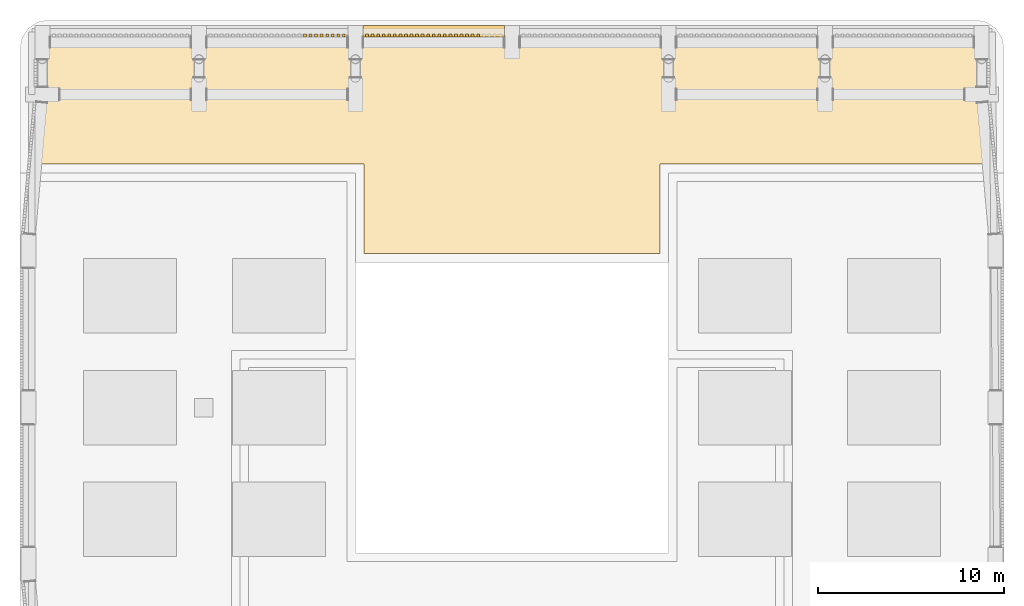
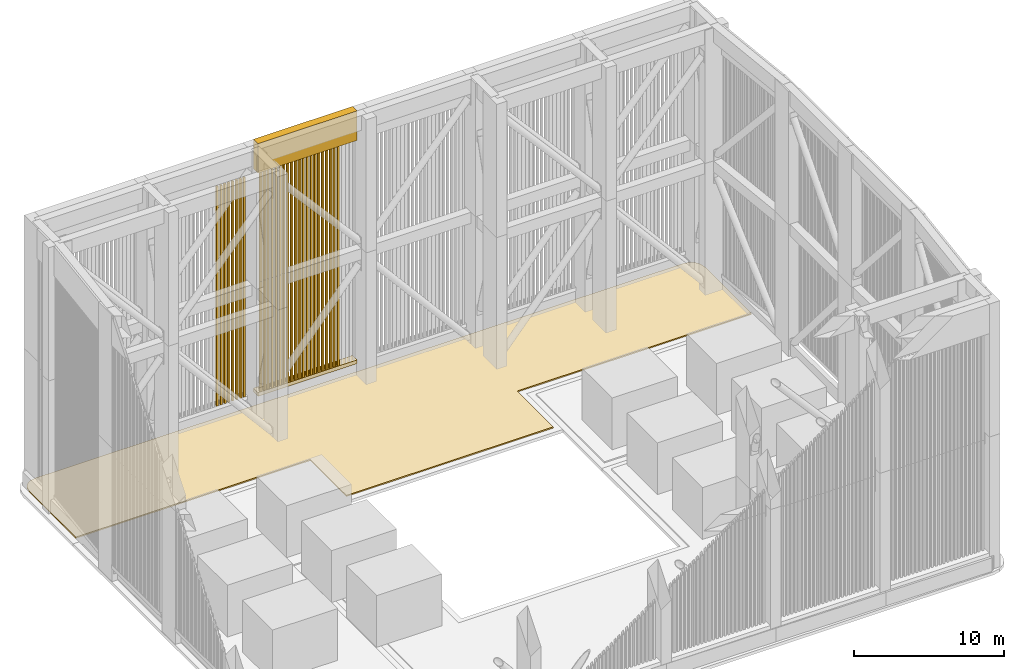
# One storey, part 22 of 27: 58 shading devices, 3 coverings.
"""IFC4 building model written with IfcOpenShell, lengths in metres."""

import ifcopenshell
import ifcopenshell.guid

model = None  # the IFC model being written
_history = None  # IfcOwnerHistory: only IFC2X3 demands one
_inside = {}  # id of a spatial element -> (the spatial element, [elements in it])
_under = {}  # id of a project, library or spatial element -> (it, [spatial elements below it])
_declared = {}  # id of a project -> (the project, [libraries it declares])
_typed = {}  # id of a type object -> (the type object, [elements of that type])
_made_of = {}  # id of a material, layer set ... -> (it, [elements and type objects made of it])


def new_model(schema):
    """Start an empty IFC model of exactly this schema.

    Asked for "IFC4X3", IfcOpenShell would pick the latest addendum, in which some entities
    have other attributes; the version numbers below select the first issue.
    IFC2X3 requires an IfcOwnerHistory on every rooted entity: one is made here for all.
    """
    global model, _history
    if schema == "IFC4X3":
        model = ifcopenshell.file(schema_version=(4, 3, 0, 0))
    else:
        model = ifcopenshell.file(schema=schema)
    _inside.clear()
    _under.clear()
    _declared.clear()
    _typed.clear()
    _made_of.clear()
    _history = None
    if model.schema == "IFC2X3":
        org = make("IfcOrganization", Name="unknown")
        user = make(
            "IfcPersonAndOrganization",
            ThePerson=make("IfcPerson", FamilyName="unknown"),
            TheOrganization=org,
        )
        app = make(
            "IfcApplication",
            ApplicationDeveloper=org,
            Version="unknown",
            ApplicationFullName="unknown",
            ApplicationIdentifier="unknown",
        )
        _history = make(
            "IfcOwnerHistory",
            OwningUser=user,
            OwningApplication=app,
            ChangeAction="ADDED",
            CreationDate=0,
        )
    return model


def make(cls, **values):
    """One entity of the class cls with the attributes given. An attribute that is None is left unset."""
    return model.create_entity(
        cls, **{name: value for name, value in values.items() if value is not None}
    )


def rooted(cls, **values):
    """An entity with a GlobalId (a new one), such as an element, a storey or a relation."""
    return make(cls, GlobalId=ifcopenshell.guid.new(), OwnerHistory=_history, **values)


def si_unit(unit_type, name, prefix=None):
    """IfcSIUnit, for example si_unit("LENGTHUNIT", "METRE", prefix="MILLI")."""
    return make("IfcSIUnit", UnitType=unit_type, Prefix=prefix, Name=name)


def assignment(units):
    """IfcUnitAssignment: the units of a project."""
    return None if units is None else make("IfcUnitAssignment", Units=units)


def point(xyz):
    """IfcCartesianPoint."""
    return None if xyz is None else make("IfcCartesianPoint", Coordinates=xyz)


def direction(xyz):
    """IfcDirection."""
    return None if xyz is None else make("IfcDirection", DirectionRatios=xyz)


def frame(location, z_axis=None, x_axis=None):
    """IfcAxis2Placement3D, a coordinate frame: its origin and axes. An axis left out is left unset."""
    return make(
        "IfcAxis2Placement3D",
        Location=point(location),
        Axis=direction(z_axis),
        RefDirection=direction(x_axis),
    )


def frame_2d(location, x_axis=None):
    """IfcAxis2Placement2D, a coordinate frame in the plane: its origin and x axis."""
    return make(
        "IfcAxis2Placement2D", Location=point(location), RefDirection=direction(x_axis)
    )


def origin():
    """The frame at (0, 0, 0) with its axes left unset."""
    return frame((0.0, 0.0, 0.0))


def origin_2d():
    """The frame at (0, 0) in the plane with its x axis left unset."""
    return frame_2d((0.0, 0.0))


def place(relative_to, where):
    """IfcLocalPlacement: puts the frame where relative to a parent placement (None: the world)."""
    return make(
        "IfcLocalPlacement", PlacementRelTo=relative_to, RelativePlacement=where
    )


def context(
    kind, dimensions, precision=None, world=None, true_north=None, identifier=None
):
    """IfcGeometricRepresentationContext, for example the 3D "Model" context."""
    return make(
        "IfcGeometricRepresentationContext",
        ContextIdentifier=identifier,
        ContextType=kind,
        CoordinateSpaceDimension=dimensions,
        Precision=precision,
        WorldCoordinateSystem=world,
        TrueNorth=true_north,
    )


def subcontext(parent, identifier, kind, view, scale=None):
    """IfcGeometricRepresentationSubContext, for example "Body" below "Model"."""
    return make(
        "IfcGeometricRepresentationSubContext",
        ContextIdentifier=identifier,
        ContextType=kind,
        ParentContext=parent,
        TargetScale=scale,
        TargetView=view,
    )


def project(units=None, contexts=None):
    """IfcProject with its units and contexts."""
    return rooted(
        "IfcProject",
        Name="project",
        RepresentationContexts=contexts,
        UnitsInContext=assignment(units),
    )


def spatial(cls, under=None, at=None, **own):
    """A site, building, storey or space (cls), placed at a placement, below another one or the project."""
    s = rooted(cls, ObjectPlacement=at, **own)
    if under is not None:
        _under.setdefault(under.id(), (under, []))[1].append(s)
    return s


def polyline(points):
    """IfcPolyline through the points."""
    return make("IfcPolyline", Points=[point(p) for p in points])


def profile(cls, at=None, kind="AREA", **sizes):
    """A parametric profile (cls). Its sizes go by their IFC names, for example OverallWidth=200.0."""
    return make(cls, ProfileType=kind, Position=at, **sizes)


def rectangle(**sizes):
    """IfcRectangleProfileDef."""
    return profile("IfcRectangleProfileDef", **sizes)


def outline(outer, holes=None, kind="AREA"):
    """IfcArbitraryClosedProfileDef: a profile drawn as a closed curve; with holes, ...WithVoids."""
    if holes is None:
        return make("IfcArbitraryClosedProfileDef", ProfileType=kind, OuterCurve=outer)
    return make(
        "IfcArbitraryProfileDefWithVoids",
        ProfileType=kind,
        OuterCurve=outer,
        InnerCurves=holes,
    )


def extrude(swept, where, along, depth):
    """IfcExtrudedAreaSolid: the profile swept, set in the frame where, extruded along a direction by depth."""
    return make(
        "IfcExtrudedAreaSolid",
        SweptArea=swept,
        Position=where,
        ExtrudedDirection=direction(along),
        Depth=depth,
    )


def shape(context_of_items, identifier, shape_type, items):
    """IfcShapeRepresentation: the items that make up one representation, for example the "Body"."""
    return make(
        "IfcShapeRepresentation",
        ContextOfItems=context_of_items,
        RepresentationIdentifier=identifier,
        RepresentationType=shape_type,
        Items=items,
    )


def material(Name=None, Category=None):
    """IfcMaterial."""
    return make("IfcMaterial", Name=Name, Category=Category)


def layer(
    of_material, thickness, ventilated=None, Name=None, Category=None, Priority=None
):
    """IfcMaterialLayer: one layer of a wall or slab, of a material (None: an air gap)."""
    return make(
        "IfcMaterialLayer",
        Material=of_material,
        LayerThickness=thickness,
        IsVentilated=ventilated,
        Name=Name,
        Category=Category,
        Priority=Priority,
    )


def layer_set(layers, Name=None):
    """IfcMaterialLayerSet."""
    return make("IfcMaterialLayerSet", MaterialLayers=layers, LayerSetName=Name)


def made_of(thing, what):
    """Note that an element or type object is made of a material, layer set ...; save() writes the relation."""
    if what is not None:
        _made_of.setdefault(what.id(), (what, []))[1].append(thing)
    return thing


def type_object(cls, material=None, **own):
    """A type object (cls), such as IfcWallType, which elements share."""
    return made_of(rooted(cls, **own), material)


def element(
    cls,
    number,
    at=None,
    inside=None,
    cuts=None,
    type_object=None,
    material=None,
    context=None,
    identifier="Body",
    shape_type=None,
    held_by="IfcProductDefinitionShape",
    body=None,
    shapes=None,
    **own,
):
    """One element of the class cls, such as IfcWall. Its Tag is "e" and its number.

    at: its placement. inside: the storey or other place that contains it. cuts: it is an
    opening in that element (IfcRelVoidsElement). A single representation is given by context,
    identifier, shape_type and body (its items); several are given by shapes. held_by: the class
    of the entity that holds the representations. save() writes the other relations.
    """
    e = rooted(cls, Tag="e%d" % number, ObjectPlacement=at, **own)
    if body is not None:
        shapes = [shape(context, identifier, shape_type, body)]
    if shapes is not None:
        e.Representation = make(held_by, Representations=shapes)
    if inside is not None:
        _inside.setdefault(inside.id(), (inside, []))[1].append(e)
    if cuts is not None:
        rooted(
            "IfcRelVoidsElement", RelatingBuildingElement=cuts, RelatedOpeningElement=e
        )
    if type_object is not None:
        _typed.setdefault(type_object.id(), (type_object, []))[1].append(e)
    return made_of(e, material)


def aggregate(whole, parts):
    """IfcRelAggregates: a whole, such as a stair, and the parts it consists of."""
    return rooted("IfcRelAggregates", RelatingObject=whole, RelatedObjects=parts)


def save(model, path):
    """Write the relations noted so far, then the file.

    IfcRelAggregates (storeys below a building ...), IfcRelContainedInSpatialStructure (elements
    in a storey), IfcRelDefinesByType, IfcRelAssociatesMaterial and IfcRelDeclares: one each for
    every whole, place, type object, material and project.
    """
    for whole, parts in _under.values():
        aggregate(whole, parts)
    for where, things in _inside.values():
        rooted(
            "IfcRelContainedInSpatialStructure",
            RelatedElements=things,
            RelatingStructure=where,
        )
    for kind, things in _typed.values():
        rooted("IfcRelDefinesByType", RelatedObjects=things, RelatingType=kind)
    for what, things in _made_of.values():
        rooted("IfcRelAssociatesMaterial", RelatedObjects=things, RelatingMaterial=what)
    for by, libraries in _declared.values():
        rooted("IfcRelDeclares", RelatingContext=by, RelatedDefinitions=libraries)
    model.write(path)


model = new_model("IFC4")

# Units and contexts
model_context = context("Model", 3, precision=1e-05, world=origin(), true_north=direction((0.0, 1.0)))
body_context = subcontext(model_context, "Body", "Model", "MODEL_VIEW")
ifc_project = project(units=[si_unit("LENGTHUNIT", "METRE"), si_unit("AREAUNIT", "SQUARE_METRE"), si_unit("VOLUMEUNIT", "CUBIC_METRE"), si_unit("PLANEANGLEUNIT", "RADIAN"), si_unit("MASSUNIT", "GRAM", prefix="KILO")], contexts=[model_context])

# Site, building, storey
site_placement = place(None, origin())
site = spatial("IfcSite", under=ifc_project, at=site_placement, CompositionType="ELEMENT")
building_placement = place(site_placement, origin())
building = spatial("IfcBuilding", under=site, at=building_placement, Name="Claustro Exchange Tower", CompositionType="ELEMENT")
storey_placement = place(building_placement, frame((0.0, 0.0, 287.10009765625)))
storey = spatial("IfcBuildingStorey", under=building, at=storey_placement, Name="ROOF", CompositionType="ELEMENT", Elevation=287.10009765625)

# Coverings
ifc_material_1 = material(Name="Concrete HA-40 (C40/50), precast, white cement, acid-etched", Category="concrete")
ifc_layer_1 = layer(ifc_material_1, 0.60009765625)
ifc_layer_set_1 = layer_set([ifc_layer_1], Name="Concrete HA-40 (C40/50), precast, white cement, acid-etched")
covering_type_1 = type_object("IfcCoveringType", Name="CC2 600 precast concrete crown moulding", PredefinedType="MOLDING", material=ifc_layer_set_1)
covering_1_placement = place(storey_placement, frame((21.0, 45.400390625, 1.10009765625), z_axis=(0.0, 0.0, 1.0), x_axis=(1.0, 0.0, 0.0)))
element("IfcCovering", 1, at=covering_1_placement, inside=storey, type_object=covering_type_1, Name="CROWN SILL CC2 3/F+2800 - 4/F+2800", PredefinedType="MOLDING", context=body_context, shape_type="SweptSolid", body=[
    extrude(rectangle(XDim=7.59912109375, YDim=0.60009765625, at=origin_2d()), origin(), (0.0, 0.0, 1.0), 0.300048828125),
])
covering_2_placement = place(storey_placement, frame((21.0, 45.400390625, 19.199951171875), z_axis=(0.0, 0.0, 1.0), x_axis=(1.0, 0.0, 0.0)))
element("IfcCovering", 2, at=covering_2_placement, inside=storey, type_object=covering_type_1, Name="CROWN CORNICE CC2 3/F+2800 - 4/F+2800", PredefinedType="MOLDING", context=body_context, shape_type="SweptSolid", body=[
    extrude(rectangle(XDim=7.59912109375, YDim=0.60009765625, at=origin_2d()), origin(), (0.0, 0.0, 1.0), 2.39990234375),
])

# Shading devices
ifc_material_2 = material(Name="Concrete HA-40 (C40/50), precast, white cement, acid-etched", Category="concrete")
shading_device_type = type_object("IfcShadingDeviceType", Name="LV1 150 x 150 precast concrete crown louvre", PredefinedType="USERDEFINED", material=ifc_material_2)
shading_device_1_placement = place(storey_placement, frame((14.090087890625, 45.175537109375, 1.39990234375), z_axis=(0.0, 0.0, 1.0), x_axis=(1.0, 0.0, 0.0)))
element("IfcShadingDevice", 3, at=shading_device_1_placement, inside=storey, type_object=shading_device_type, Name="CROWN LOUVRE LV1 2/F+2800 - 3/F+2800 18 lower", ObjectType="CROWN LOUVRE", PredefinedType="USERDEFINED", context=body_context, shape_type="SweptSolid", body=[
    extrude(rectangle(XDim=0.14990234375, YDim=0.14990234375, at=origin_2d()), origin(), (0.0, 0.0, 1.0), 8.949951171875),
])
shading_device_2_placement = place(storey_placement, frame((14.090087890625, 45.175537109375, 10.349853515625), z_axis=(0.0, 0.0, 1.0), x_axis=(1.0, 0.0, 0.0)))
element("IfcShadingDevice", 4, at=shading_device_2_placement, inside=storey, type_object=shading_device_type, Name="CROWN LOUVRE LV1 2/F+2800 - 3/F+2800 18 upper", ObjectType="CROWN LOUVRE", PredefinedType="USERDEFINED", context=body_context, shape_type="SweptSolid", body=[
    extrude(rectangle(XDim=0.14990234375, YDim=0.14990234375, at=origin_2d()), origin(), (0.0, 0.0, 1.0), 8.85009765625),
])
shading_device_3_placement = place(storey_placement, frame((14.38818359375, 45.175537109375, 1.39990234375), z_axis=(0.0, 0.0, 1.0), x_axis=(1.0, 0.0, 0.0)))
element("IfcShadingDevice", 5, at=shading_device_3_placement, inside=storey, type_object=shading_device_type, Name="CROWN LOUVRE LV1 2/F+2800 - 3/F+2800 19 lower", ObjectType="CROWN LOUVRE", PredefinedType="USERDEFINED", context=body_context, shape_type="SweptSolid", body=[
    extrude(rectangle(XDim=0.14990234375, YDim=0.14990234375, at=origin_2d()), origin(), (0.0, 0.0, 1.0), 8.949951171875),
])
shading_device_4_placement = place(storey_placement, frame((14.38818359375, 45.175537109375, 10.349853515625), z_axis=(0.0, 0.0, 1.0), x_axis=(1.0, 0.0, 0.0)))
element("IfcShadingDevice", 6, at=shading_device_4_placement, inside=storey, type_object=shading_device_type, Name="CROWN LOUVRE LV1 2/F+2800 - 3/F+2800 19 upper", ObjectType="CROWN LOUVRE", PredefinedType="USERDEFINED", context=body_context, shape_type="SweptSolid", body=[
    extrude(rectangle(XDim=0.14990234375, YDim=0.14990234375, at=origin_2d()), origin(), (0.0, 0.0, 1.0), 8.85009765625),
])
shading_device_5_placement = place(storey_placement, frame((14.686279296875, 45.175537109375, 1.39990234375), z_axis=(0.0, 0.0, 1.0), x_axis=(1.0, 0.0, 0.0)))
element("IfcShadingDevice", 7, at=shading_device_5_placement, inside=storey, type_object=shading_device_type, Name="CROWN LOUVRE LV1 2/F+2800 - 3/F+2800 20 lower", ObjectType="CROWN LOUVRE", PredefinedType="USERDEFINED", context=body_context, shape_type="SweptSolid", body=[
    extrude(rectangle(XDim=0.14990234375, YDim=0.14990234375, at=origin_2d()), origin(), (0.0, 0.0, 1.0), 8.949951171875),
])
shading_device_6_placement = place(storey_placement, frame((14.686279296875, 45.175537109375, 10.349853515625), z_axis=(0.0, 0.0, 1.0), x_axis=(1.0, 0.0, 0.0)))
element("IfcShadingDevice", 8, at=shading_device_6_placement, inside=storey, type_object=shading_device_type, Name="CROWN LOUVRE LV1 2/F+2800 - 3/F+2800 20 upper", ObjectType="CROWN LOUVRE", PredefinedType="USERDEFINED", context=body_context, shape_type="SweptSolid", body=[
    extrude(rectangle(XDim=0.14990234375, YDim=0.14990234375, at=origin_2d()), origin(), (0.0, 0.0, 1.0), 8.85009765625),
])
shading_device_7_placement = place(storey_placement, frame((14.984375, 45.175537109375, 1.39990234375), z_axis=(0.0, 0.0, 1.0), x_axis=(1.0, 0.0, 0.0)))
element("IfcShadingDevice", 9, at=shading_device_7_placement, inside=storey, type_object=shading_device_type, Name="CROWN LOUVRE LV1 2/F+2800 - 3/F+2800 21 lower", ObjectType="CROWN LOUVRE", PredefinedType="USERDEFINED", context=body_context, shape_type="SweptSolid", body=[
    extrude(rectangle(XDim=0.14990234375, YDim=0.14990234375, at=origin_2d()), origin(), (0.0, 0.0, 1.0), 8.949951171875),
])
shading_device_8_placement = place(storey_placement, frame((14.984375, 45.175537109375, 10.349853515625), z_axis=(0.0, 0.0, 1.0), x_axis=(1.0, 0.0, 0.0)))
element("IfcShadingDevice", 10, at=shading_device_8_placement, inside=storey, type_object=shading_device_type, Name="CROWN LOUVRE LV1 2/F+2800 - 3/F+2800 21 upper", ObjectType="CROWN LOUVRE", PredefinedType="USERDEFINED", context=body_context, shape_type="SweptSolid", body=[
    extrude(rectangle(XDim=0.14990234375, YDim=0.14990234375, at=origin_2d()), origin(), (0.0, 0.0, 1.0), 8.85009765625),
])
shading_device_9_placement = place(storey_placement, frame((15.2822265625, 45.175537109375, 1.39990234375), z_axis=(0.0, 0.0, 1.0), x_axis=(1.0, 0.0, 0.0)))
element("IfcShadingDevice", 11, at=shading_device_9_placement, inside=storey, type_object=shading_device_type, Name="CROWN LOUVRE LV1 2/F+2800 - 3/F+2800 22 lower", ObjectType="CROWN LOUVRE", PredefinedType="USERDEFINED", context=body_context, shape_type="SweptSolid", body=[
    extrude(rectangle(XDim=0.14990234375, YDim=0.14990234375, at=origin_2d()), origin(), (0.0, 0.0, 1.0), 8.949951171875),
])
shading_device_10_placement = place(storey_placement, frame((15.2822265625, 45.175537109375, 10.349853515625), z_axis=(0.0, 0.0, 1.0), x_axis=(1.0, 0.0, 0.0)))
element("IfcShadingDevice", 12, at=shading_device_10_placement, inside=storey, type_object=shading_device_type, Name="CROWN LOUVRE LV1 2/F+2800 - 3/F+2800 22 upper", ObjectType="CROWN LOUVRE", PredefinedType="USERDEFINED", context=body_context, shape_type="SweptSolid", body=[
    extrude(rectangle(XDim=0.14990234375, YDim=0.14990234375, at=origin_2d()), origin(), (0.0, 0.0, 1.0), 8.85009765625),
])
shading_device_11_placement = place(storey_placement, frame((15.580322265625, 45.175537109375, 1.39990234375), z_axis=(0.0, 0.0, 1.0), x_axis=(1.0, 0.0, 0.0)))
element("IfcShadingDevice", 13, at=shading_device_11_placement, inside=storey, type_object=shading_device_type, Name="CROWN LOUVRE LV1 2/F+2800 - 3/F+2800 23 lower", ObjectType="CROWN LOUVRE", PredefinedType="USERDEFINED", context=body_context, shape_type="SweptSolid", body=[
    extrude(rectangle(XDim=0.14990234375, YDim=0.14990234375, at=origin_2d()), origin(), (0.0, 0.0, 1.0), 8.949951171875),
])
shading_device_12_placement = place(storey_placement, frame((15.580322265625, 45.175537109375, 10.349853515625), z_axis=(0.0, 0.0, 1.0), x_axis=(1.0, 0.0, 0.0)))
element("IfcShadingDevice", 14, at=shading_device_12_placement, inside=storey, type_object=shading_device_type, Name="CROWN LOUVRE LV1 2/F+2800 - 3/F+2800 23 upper", ObjectType="CROWN LOUVRE", PredefinedType="USERDEFINED", context=body_context, shape_type="SweptSolid", body=[
    extrude(rectangle(XDim=0.14990234375, YDim=0.14990234375, at=origin_2d()), origin(), (0.0, 0.0, 1.0), 8.85009765625),
])
shading_device_13_placement = place(storey_placement, frame((15.87841796875, 45.175537109375, 1.39990234375), z_axis=(0.0, 0.0, 1.0), x_axis=(1.0, 0.0, 0.0)))
element("IfcShadingDevice", 15, at=shading_device_13_placement, inside=storey, type_object=shading_device_type, Name="CROWN LOUVRE LV1 2/F+2800 - 3/F+2800 24 lower", ObjectType="CROWN LOUVRE", PredefinedType="USERDEFINED", context=body_context, shape_type="SweptSolid", body=[
    extrude(rectangle(XDim=0.14990234375, YDim=0.14990234375, at=origin_2d()), origin(), (0.0, 0.0, 1.0), 8.949951171875),
])
shading_device_14_placement = place(storey_placement, frame((15.87841796875, 45.175537109375, 10.349853515625), z_axis=(0.0, 0.0, 1.0), x_axis=(1.0, 0.0, 0.0)))
element("IfcShadingDevice", 16, at=shading_device_14_placement, inside=storey, type_object=shading_device_type, Name="CROWN LOUVRE LV1 2/F+2800 - 3/F+2800 24 upper", ObjectType="CROWN LOUVRE", PredefinedType="USERDEFINED", context=body_context, shape_type="SweptSolid", body=[
    extrude(rectangle(XDim=0.14990234375, YDim=0.14990234375, at=origin_2d()), origin(), (0.0, 0.0, 1.0), 8.85009765625),
])
shading_device_15_placement = place(storey_placement, frame((16.176513671875, 45.175537109375, 1.39990234375), z_axis=(0.0, 0.0, 1.0), x_axis=(1.0, 0.0, 0.0)))
element("IfcShadingDevice", 17, at=shading_device_15_placement, inside=storey, type_object=shading_device_type, Name="CROWN LOUVRE LV1 2/F+2800 - 3/F+2800 25 lower", ObjectType="CROWN LOUVRE", PredefinedType="USERDEFINED", context=body_context, shape_type="SweptSolid", body=[
    extrude(rectangle(XDim=0.14990234375, YDim=0.14990234375, at=origin_2d()), origin(), (0.0, 0.0, 1.0), 8.949951171875),
])
shading_device_16_placement = place(storey_placement, frame((16.176513671875, 45.175537109375, 10.349853515625), z_axis=(0.0, 0.0, 1.0), x_axis=(1.0, 0.0, 0.0)))
element("IfcShadingDevice", 18, at=shading_device_16_placement, inside=storey, type_object=shading_device_type, Name="CROWN LOUVRE LV1 2/F+2800 - 3/F+2800 25 upper", ObjectType="CROWN LOUVRE", PredefinedType="USERDEFINED", context=body_context, shape_type="SweptSolid", body=[
    extrude(rectangle(XDim=0.14990234375, YDim=0.14990234375, at=origin_2d()), origin(), (0.0, 0.0, 1.0), 8.85009765625),
])
shading_device_17_placement = place(storey_placement, frame((17.423583984375, 45.175537109375, 1.39990234375), z_axis=(0.0, 0.0, 1.0), x_axis=(1.0, 0.0, 0.0)))
element("IfcShadingDevice", 19, at=shading_device_17_placement, inside=storey, type_object=shading_device_type, Name="CROWN LOUVRE LV1 3/F+2800 - 4/F+2800 01 lower", ObjectType="CROWN LOUVRE", PredefinedType="USERDEFINED", context=body_context, shape_type="SweptSolid", body=[
    extrude(rectangle(XDim=0.14990234375, YDim=0.14990234375, at=origin_2d()), origin(), (0.0, 0.0, 1.0), 8.949951171875),
])
shading_device_18_placement = place(storey_placement, frame((17.423583984375, 45.175537109375, 10.349853515625), z_axis=(0.0, 0.0, 1.0), x_axis=(1.0, 0.0, 0.0)))
element("IfcShadingDevice", 20, at=shading_device_18_placement, inside=storey, type_object=shading_device_type, Name="CROWN LOUVRE LV1 3/F+2800 - 4/F+2800 01 upper", ObjectType="CROWN LOUVRE", PredefinedType="USERDEFINED", context=body_context, shape_type="SweptSolid", body=[
    extrude(rectangle(XDim=0.14990234375, YDim=0.14990234375, at=origin_2d()), origin(), (0.0, 0.0, 1.0), 8.85009765625),
])
shading_device_19_placement = place(storey_placement, frame((17.7216796875, 45.175537109375, 1.39990234375), z_axis=(0.0, 0.0, 1.0), x_axis=(1.0, 0.0, 0.0)))
element("IfcShadingDevice", 21, at=shading_device_19_placement, inside=storey, type_object=shading_device_type, Name="CROWN LOUVRE LV1 3/F+2800 - 4/F+2800 02 lower", ObjectType="CROWN LOUVRE", PredefinedType="USERDEFINED", context=body_context, shape_type="SweptSolid", body=[
    extrude(rectangle(XDim=0.14990234375, YDim=0.14990234375, at=origin_2d()), origin(), (0.0, 0.0, 1.0), 8.949951171875),
])
shading_device_20_placement = place(storey_placement, frame((17.7216796875, 45.175537109375, 10.349853515625), z_axis=(0.0, 0.0, 1.0), x_axis=(1.0, 0.0, 0.0)))
element("IfcShadingDevice", 22, at=shading_device_20_placement, inside=storey, type_object=shading_device_type, Name="CROWN LOUVRE LV1 3/F+2800 - 4/F+2800 02 upper", ObjectType="CROWN LOUVRE", PredefinedType="USERDEFINED", context=body_context, shape_type="SweptSolid", body=[
    extrude(rectangle(XDim=0.14990234375, YDim=0.14990234375, at=origin_2d()), origin(), (0.0, 0.0, 1.0), 8.85009765625),
])
shading_device_21_placement = place(storey_placement, frame((18.01953125, 45.175537109375, 1.39990234375), z_axis=(0.0, 0.0, 1.0), x_axis=(1.0, 0.0, 0.0)))
element("IfcShadingDevice", 23, at=shading_device_21_placement, inside=storey, type_object=shading_device_type, Name="CROWN LOUVRE LV1 3/F+2800 - 4/F+2800 03 lower", ObjectType="CROWN LOUVRE", PredefinedType="USERDEFINED", context=body_context, shape_type="SweptSolid", body=[
    extrude(rectangle(XDim=0.14990234375, YDim=0.14990234375, at=origin_2d()), origin(), (0.0, 0.0, 1.0), 8.949951171875),
])
shading_device_22_placement = place(storey_placement, frame((18.01953125, 45.175537109375, 10.349853515625), z_axis=(0.0, 0.0, 1.0), x_axis=(1.0, 0.0, 0.0)))
element("IfcShadingDevice", 24, at=shading_device_22_placement, inside=storey, type_object=shading_device_type, Name="CROWN LOUVRE LV1 3/F+2800 - 4/F+2800 03 upper", ObjectType="CROWN LOUVRE", PredefinedType="USERDEFINED", context=body_context, shape_type="SweptSolid", body=[
    extrude(rectangle(XDim=0.14990234375, YDim=0.14990234375, at=origin_2d()), origin(), (0.0, 0.0, 1.0), 8.85009765625),
])
shading_device_23_placement = place(storey_placement, frame((18.317626953125, 45.175537109375, 1.39990234375), z_axis=(0.0, 0.0, 1.0), x_axis=(1.0, 0.0, 0.0)))
element("IfcShadingDevice", 25, at=shading_device_23_placement, inside=storey, type_object=shading_device_type, Name="CROWN LOUVRE LV1 3/F+2800 - 4/F+2800 04 lower", ObjectType="CROWN LOUVRE", PredefinedType="USERDEFINED", context=body_context, shape_type="SweptSolid", body=[
    extrude(rectangle(XDim=0.14990234375, YDim=0.14990234375, at=origin_2d()), origin(), (0.0, 0.0, 1.0), 8.949951171875),
])
shading_device_24_placement = place(storey_placement, frame((18.317626953125, 45.175537109375, 10.349853515625), z_axis=(0.0, 0.0, 1.0), x_axis=(1.0, 0.0, 0.0)))
element("IfcShadingDevice", 26, at=shading_device_24_placement, inside=storey, type_object=shading_device_type, Name="CROWN LOUVRE LV1 3/F+2800 - 4/F+2800 04 upper", ObjectType="CROWN LOUVRE", PredefinedType="USERDEFINED", context=body_context, shape_type="SweptSolid", body=[
    extrude(rectangle(XDim=0.14990234375, YDim=0.14990234375, at=origin_2d()), origin(), (0.0, 0.0, 1.0), 8.85009765625),
])
shading_device_25_placement = place(storey_placement, frame((18.61572265625, 45.175537109375, 1.39990234375), z_axis=(0.0, 0.0, 1.0), x_axis=(1.0, 0.0, 0.0)))
element("IfcShadingDevice", 27, at=shading_device_25_placement, inside=storey, type_object=shading_device_type, Name="CROWN LOUVRE LV1 3/F+2800 - 4/F+2800 05 lower", ObjectType="CROWN LOUVRE", PredefinedType="USERDEFINED", context=body_context, shape_type="SweptSolid", body=[
    extrude(rectangle(XDim=0.14990234375, YDim=0.14990234375, at=origin_2d()), origin(), (0.0, 0.0, 1.0), 8.949951171875),
])
shading_device_26_placement = place(storey_placement, frame((18.61572265625, 45.175537109375, 10.349853515625), z_axis=(0.0, 0.0, 1.0), x_axis=(1.0, 0.0, 0.0)))
element("IfcShadingDevice", 28, at=shading_device_26_placement, inside=storey, type_object=shading_device_type, Name="CROWN LOUVRE LV1 3/F+2800 - 4/F+2800 05 upper", ObjectType="CROWN LOUVRE", PredefinedType="USERDEFINED", context=body_context, shape_type="SweptSolid", body=[
    extrude(rectangle(XDim=0.14990234375, YDim=0.14990234375, at=origin_2d()), origin(), (0.0, 0.0, 1.0), 8.85009765625),
])
shading_device_27_placement = place(storey_placement, frame((18.913818359375, 45.175537109375, 1.39990234375), z_axis=(0.0, 0.0, 1.0), x_axis=(1.0, 0.0, 0.0)))
element("IfcShadingDevice", 29, at=shading_device_27_placement, inside=storey, type_object=shading_device_type, Name="CROWN LOUVRE LV1 3/F+2800 - 4/F+2800 06 lower", ObjectType="CROWN LOUVRE", PredefinedType="USERDEFINED", context=body_context, shape_type="SweptSolid", body=[
    extrude(rectangle(XDim=0.14990234375, YDim=0.14990234375, at=origin_2d()), origin(), (0.0, 0.0, 1.0), 8.949951171875),
])
shading_device_28_placement = place(storey_placement, frame((18.913818359375, 45.175537109375, 10.349853515625), z_axis=(0.0, 0.0, 1.0), x_axis=(1.0, 0.0, 0.0)))
element("IfcShadingDevice", 30, at=shading_device_28_placement, inside=storey, type_object=shading_device_type, Name="CROWN LOUVRE LV1 3/F+2800 - 4/F+2800 06 upper", ObjectType="CROWN LOUVRE", PredefinedType="USERDEFINED", context=body_context, shape_type="SweptSolid", body=[
    extrude(rectangle(XDim=0.14990234375, YDim=0.14990234375, at=origin_2d()), origin(), (0.0, 0.0, 1.0), 8.85009765625),
])
shading_device_29_placement = place(storey_placement, frame((19.2119140625, 45.175537109375, 1.39990234375), z_axis=(0.0, 0.0, 1.0), x_axis=(1.0, 0.0, 0.0)))
element("IfcShadingDevice", 31, at=shading_device_29_placement, inside=storey, type_object=shading_device_type, Name="CROWN LOUVRE LV1 3/F+2800 - 4/F+2800 07 lower", ObjectType="CROWN LOUVRE", PredefinedType="USERDEFINED", context=body_context, shape_type="SweptSolid", body=[
    extrude(rectangle(XDim=0.14990234375, YDim=0.14990234375, at=origin_2d()), origin(), (0.0, 0.0, 1.0), 8.949951171875),
])
shading_device_30_placement = place(storey_placement, frame((19.2119140625, 45.175537109375, 10.349853515625), z_axis=(0.0, 0.0, 1.0), x_axis=(1.0, 0.0, 0.0)))
element("IfcShadingDevice", 32, at=shading_device_30_placement, inside=storey, type_object=shading_device_type, Name="CROWN LOUVRE LV1 3/F+2800 - 4/F+2800 07 upper", ObjectType="CROWN LOUVRE", PredefinedType="USERDEFINED", context=body_context, shape_type="SweptSolid", body=[
    extrude(rectangle(XDim=0.14990234375, YDim=0.14990234375, at=origin_2d()), origin(), (0.0, 0.0, 1.0), 8.85009765625),
])
shading_device_31_placement = place(storey_placement, frame((19.509765625, 45.175537109375, 1.39990234375), z_axis=(0.0, 0.0, 1.0), x_axis=(1.0, 0.0, 0.0)))
element("IfcShadingDevice", 33, at=shading_device_31_placement, inside=storey, type_object=shading_device_type, Name="CROWN LOUVRE LV1 3/F+2800 - 4/F+2800 08 lower", ObjectType="CROWN LOUVRE", PredefinedType="USERDEFINED", context=body_context, shape_type="SweptSolid", body=[
    extrude(rectangle(XDim=0.14990234375, YDim=0.14990234375, at=origin_2d()), origin(), (0.0, 0.0, 1.0), 8.949951171875),
])
shading_device_32_placement = place(storey_placement, frame((19.509765625, 45.175537109375, 10.349853515625), z_axis=(0.0, 0.0, 1.0), x_axis=(1.0, 0.0, 0.0)))
element("IfcShadingDevice", 34, at=shading_device_32_placement, inside=storey, type_object=shading_device_type, Name="CROWN LOUVRE LV1 3/F+2800 - 4/F+2800 08 upper", ObjectType="CROWN LOUVRE", PredefinedType="USERDEFINED", context=body_context, shape_type="SweptSolid", body=[
    extrude(rectangle(XDim=0.14990234375, YDim=0.14990234375, at=origin_2d()), origin(), (0.0, 0.0, 1.0), 8.85009765625),
])
shading_device_33_placement = place(storey_placement, frame((19.807861328125, 45.175537109375, 1.39990234375), z_axis=(0.0, 0.0, 1.0), x_axis=(1.0, 0.0, 0.0)))
element("IfcShadingDevice", 35, at=shading_device_33_placement, inside=storey, type_object=shading_device_type, Name="CROWN LOUVRE LV1 3/F+2800 - 4/F+2800 09 lower", ObjectType="CROWN LOUVRE", PredefinedType="USERDEFINED", context=body_context, shape_type="SweptSolid", body=[
    extrude(rectangle(XDim=0.14990234375, YDim=0.14990234375, at=origin_2d()), origin(), (0.0, 0.0, 1.0), 8.949951171875),
])
shading_device_34_placement = place(storey_placement, frame((19.807861328125, 45.175537109375, 10.349853515625), z_axis=(0.0, 0.0, 1.0), x_axis=(1.0, 0.0, 0.0)))
element("IfcShadingDevice", 36, at=shading_device_34_placement, inside=storey, type_object=shading_device_type, Name="CROWN LOUVRE LV1 3/F+2800 - 4/F+2800 09 upper", ObjectType="CROWN LOUVRE", PredefinedType="USERDEFINED", context=body_context, shape_type="SweptSolid", body=[
    extrude(rectangle(XDim=0.14990234375, YDim=0.14990234375, at=origin_2d()), origin(), (0.0, 0.0, 1.0), 8.85009765625),
])
shading_device_35_placement = place(storey_placement, frame((20.10595703125, 45.175537109375, 1.39990234375), z_axis=(0.0, 0.0, 1.0), x_axis=(1.0, 0.0, 0.0)))
element("IfcShadingDevice", 37, at=shading_device_35_placement, inside=storey, type_object=shading_device_type, Name="CROWN LOUVRE LV1 3/F+2800 - 4/F+2800 10 lower", ObjectType="CROWN LOUVRE", PredefinedType="USERDEFINED", context=body_context, shape_type="SweptSolid", body=[
    extrude(rectangle(XDim=0.14990234375, YDim=0.14990234375, at=origin_2d()), origin(), (0.0, 0.0, 1.0), 8.949951171875),
])
shading_device_36_placement = place(storey_placement, frame((20.10595703125, 45.175537109375, 10.349853515625), z_axis=(0.0, 0.0, 1.0), x_axis=(1.0, 0.0, 0.0)))
element("IfcShadingDevice", 38, at=shading_device_36_placement, inside=storey, type_object=shading_device_type, Name="CROWN LOUVRE LV1 3/F+2800 - 4/F+2800 10 upper", ObjectType="CROWN LOUVRE", PredefinedType="USERDEFINED", context=body_context, shape_type="SweptSolid", body=[
    extrude(rectangle(XDim=0.14990234375, YDim=0.14990234375, at=origin_2d()), origin(), (0.0, 0.0, 1.0), 8.85009765625),
])
shading_device_37_placement = place(storey_placement, frame((20.40380859375, 45.175537109375, 1.39990234375), z_axis=(0.0, 0.0, 1.0), x_axis=(1.0, 0.0, 0.0)))
element("IfcShadingDevice", 39, at=shading_device_37_placement, inside=storey, type_object=shading_device_type, Name="CROWN LOUVRE LV1 3/F+2800 - 4/F+2800 11 lower", ObjectType="CROWN LOUVRE", PredefinedType="USERDEFINED", context=body_context, shape_type="SweptSolid", body=[
    extrude(rectangle(XDim=0.14990234375, YDim=0.14990234375, at=origin_2d()), origin(), (0.0, 0.0, 1.0), 8.949951171875),
])
shading_device_38_placement = place(storey_placement, frame((20.40380859375, 45.175537109375, 10.349853515625), z_axis=(0.0, 0.0, 1.0), x_axis=(1.0, 0.0, 0.0)))
element("IfcShadingDevice", 40, at=shading_device_38_placement, inside=storey, type_object=shading_device_type, Name="CROWN LOUVRE LV1 3/F+2800 - 4/F+2800 11 upper", ObjectType="CROWN LOUVRE", PredefinedType="USERDEFINED", context=body_context, shape_type="SweptSolid", body=[
    extrude(rectangle(XDim=0.14990234375, YDim=0.14990234375, at=origin_2d()), origin(), (0.0, 0.0, 1.0), 8.85009765625),
])
shading_device_39_placement = place(storey_placement, frame((20.701904296875, 45.175537109375, 1.39990234375), z_axis=(0.0, 0.0, 1.0), x_axis=(1.0, 0.0, 0.0)))
element("IfcShadingDevice", 41, at=shading_device_39_placement, inside=storey, type_object=shading_device_type, Name="CROWN LOUVRE LV1 3/F+2800 - 4/F+2800 12 lower", ObjectType="CROWN LOUVRE", PredefinedType="USERDEFINED", context=body_context, shape_type="SweptSolid", body=[
    extrude(rectangle(XDim=0.14990234375, YDim=0.14990234375, at=origin_2d()), origin(), (0.0, 0.0, 1.0), 8.949951171875),
])
shading_device_40_placement = place(storey_placement, frame((20.701904296875, 45.175537109375, 10.349853515625), z_axis=(0.0, 0.0, 1.0), x_axis=(1.0, 0.0, 0.0)))
element("IfcShadingDevice", 42, at=shading_device_40_placement, inside=storey, type_object=shading_device_type, Name="CROWN LOUVRE LV1 3/F+2800 - 4/F+2800 12 upper", ObjectType="CROWN LOUVRE", PredefinedType="USERDEFINED", context=body_context, shape_type="SweptSolid", body=[
    extrude(rectangle(XDim=0.14990234375, YDim=0.14990234375, at=origin_2d()), origin(), (0.0, 0.0, 1.0), 8.85009765625),
])
shading_device_41_placement = place(storey_placement, frame((21.0, 45.175537109375, 1.39990234375), z_axis=(0.0, 0.0, 1.0), x_axis=(1.0, 0.0, 0.0)))
element("IfcShadingDevice", 43, at=shading_device_41_placement, inside=storey, type_object=shading_device_type, Name="CROWN LOUVRE LV1 3/F+2800 - 4/F+2800 13 lower", ObjectType="CROWN LOUVRE", PredefinedType="USERDEFINED", context=body_context, shape_type="SweptSolid", body=[
    extrude(rectangle(XDim=0.14990234375, YDim=0.14990234375, at=origin_2d()), origin(), (0.0, 0.0, 1.0), 8.949951171875),
])
shading_device_42_placement = place(storey_placement, frame((21.0, 45.175537109375, 10.349853515625), z_axis=(0.0, 0.0, 1.0), x_axis=(1.0, 0.0, 0.0)))
element("IfcShadingDevice", 44, at=shading_device_42_placement, inside=storey, type_object=shading_device_type, Name="CROWN LOUVRE LV1 3/F+2800 - 4/F+2800 13 upper", ObjectType="CROWN LOUVRE", PredefinedType="USERDEFINED", context=body_context, shape_type="SweptSolid", body=[
    extrude(rectangle(XDim=0.14990234375, YDim=0.14990234375, at=origin_2d()), origin(), (0.0, 0.0, 1.0), 8.85009765625),
])
shading_device_43_placement = place(storey_placement, frame((21.298095703125, 45.175537109375, 1.39990234375), z_axis=(0.0, 0.0, 1.0), x_axis=(1.0, 0.0, 0.0)))
element("IfcShadingDevice", 45, at=shading_device_43_placement, inside=storey, type_object=shading_device_type, Name="CROWN LOUVRE LV1 3/F+2800 - 4/F+2800 14 lower", ObjectType="CROWN LOUVRE", PredefinedType="USERDEFINED", context=body_context, shape_type="SweptSolid", body=[
    extrude(rectangle(XDim=0.14990234375, YDim=0.14990234375, at=origin_2d()), origin(), (0.0, 0.0, 1.0), 8.949951171875),
])
shading_device_44_placement = place(storey_placement, frame((21.298095703125, 45.175537109375, 10.349853515625), z_axis=(0.0, 0.0, 1.0), x_axis=(1.0, 0.0, 0.0)))
element("IfcShadingDevice", 46, at=shading_device_44_placement, inside=storey, type_object=shading_device_type, Name="CROWN LOUVRE LV1 3/F+2800 - 4/F+2800 14 upper", ObjectType="CROWN LOUVRE", PredefinedType="USERDEFINED", context=body_context, shape_type="SweptSolid", body=[
    extrude(rectangle(XDim=0.14990234375, YDim=0.14990234375, at=origin_2d()), origin(), (0.0, 0.0, 1.0), 8.85009765625),
])
shading_device_45_placement = place(storey_placement, frame((21.59619140625, 45.175537109375, 1.39990234375), z_axis=(0.0, 0.0, 1.0), x_axis=(1.0, 0.0, 0.0)))
element("IfcShadingDevice", 47, at=shading_device_45_placement, inside=storey, type_object=shading_device_type, Name="CROWN LOUVRE LV1 3/F+2800 - 4/F+2800 15 lower", ObjectType="CROWN LOUVRE", PredefinedType="USERDEFINED", context=body_context, shape_type="SweptSolid", body=[
    extrude(rectangle(XDim=0.14990234375, YDim=0.14990234375, at=origin_2d()), origin(), (0.0, 0.0, 1.0), 8.949951171875),
])
shading_device_46_placement = place(storey_placement, frame((21.59619140625, 45.175537109375, 10.349853515625), z_axis=(0.0, 0.0, 1.0), x_axis=(1.0, 0.0, 0.0)))
element("IfcShadingDevice", 48, at=shading_device_46_placement, inside=storey, type_object=shading_device_type, Name="CROWN LOUVRE LV1 3/F+2800 - 4/F+2800 15 upper", ObjectType="CROWN LOUVRE", PredefinedType="USERDEFINED", context=body_context, shape_type="SweptSolid", body=[
    extrude(rectangle(XDim=0.14990234375, YDim=0.14990234375, at=origin_2d()), origin(), (0.0, 0.0, 1.0), 8.85009765625),
])
shading_device_47_placement = place(storey_placement, frame((21.89404296875, 45.175537109375, 1.39990234375), z_axis=(0.0, 0.0, 1.0), x_axis=(1.0, 0.0, 0.0)))
element("IfcShadingDevice", 49, at=shading_device_47_placement, inside=storey, type_object=shading_device_type, Name="CROWN LOUVRE LV1 3/F+2800 - 4/F+2800 16 lower", ObjectType="CROWN LOUVRE", PredefinedType="USERDEFINED", context=body_context, shape_type="SweptSolid", body=[
    extrude(rectangle(XDim=0.14990234375, YDim=0.14990234375, at=origin_2d()), origin(), (0.0, 0.0, 1.0), 8.949951171875),
])
shading_device_48_placement = place(storey_placement, frame((21.89404296875, 45.175537109375, 10.349853515625), z_axis=(0.0, 0.0, 1.0), x_axis=(1.0, 0.0, 0.0)))
element("IfcShadingDevice", 50, at=shading_device_48_placement, inside=storey, type_object=shading_device_type, Name="CROWN LOUVRE LV1 3/F+2800 - 4/F+2800 16 upper", ObjectType="CROWN LOUVRE", PredefinedType="USERDEFINED", context=body_context, shape_type="SweptSolid", body=[
    extrude(rectangle(XDim=0.14990234375, YDim=0.14990234375, at=origin_2d()), origin(), (0.0, 0.0, 1.0), 8.85009765625),
])
shading_device_49_placement = place(storey_placement, frame((22.192138671875, 45.175537109375, 1.39990234375), z_axis=(0.0, 0.0, 1.0), x_axis=(1.0, 0.0, 0.0)))
element("IfcShadingDevice", 51, at=shading_device_49_placement, inside=storey, type_object=shading_device_type, Name="CROWN LOUVRE LV1 3/F+2800 - 4/F+2800 17 lower", ObjectType="CROWN LOUVRE", PredefinedType="USERDEFINED", context=body_context, shape_type="SweptSolid", body=[
    extrude(rectangle(XDim=0.14990234375, YDim=0.14990234375, at=origin_2d()), origin(), (0.0, 0.0, 1.0), 8.949951171875),
])
shading_device_50_placement = place(storey_placement, frame((22.192138671875, 45.175537109375, 10.349853515625), z_axis=(0.0, 0.0, 1.0), x_axis=(1.0, 0.0, 0.0)))
element("IfcShadingDevice", 52, at=shading_device_50_placement, inside=storey, type_object=shading_device_type, Name="CROWN LOUVRE LV1 3/F+2800 - 4/F+2800 17 upper", ObjectType="CROWN LOUVRE", PredefinedType="USERDEFINED", context=body_context, shape_type="SweptSolid", body=[
    extrude(rectangle(XDim=0.14990234375, YDim=0.14990234375, at=origin_2d()), origin(), (0.0, 0.0, 1.0), 8.85009765625),
])
shading_device_51_placement = place(storey_placement, frame((22.490234375, 45.175537109375, 1.39990234375), z_axis=(0.0, 0.0, 1.0), x_axis=(1.0, 0.0, 0.0)))
element("IfcShadingDevice", 53, at=shading_device_51_placement, inside=storey, type_object=shading_device_type, Name="CROWN LOUVRE LV1 3/F+2800 - 4/F+2800 18 lower", ObjectType="CROWN LOUVRE", PredefinedType="USERDEFINED", context=body_context, shape_type="SweptSolid", body=[
    extrude(rectangle(XDim=0.14990234375, YDim=0.14990234375, at=origin_2d()), origin(), (0.0, 0.0, 1.0), 8.949951171875),
])
shading_device_52_placement = place(storey_placement, frame((22.490234375, 45.175537109375, 10.349853515625), z_axis=(0.0, 0.0, 1.0), x_axis=(1.0, 0.0, 0.0)))
element("IfcShadingDevice", 54, at=shading_device_52_placement, inside=storey, type_object=shading_device_type, Name="CROWN LOUVRE LV1 3/F+2800 - 4/F+2800 18 upper", ObjectType="CROWN LOUVRE", PredefinedType="USERDEFINED", context=body_context, shape_type="SweptSolid", body=[
    extrude(rectangle(XDim=0.14990234375, YDim=0.14990234375, at=origin_2d()), origin(), (0.0, 0.0, 1.0), 8.85009765625),
])
shading_device_53_placement = place(storey_placement, frame((22.7880859375, 45.175537109375, 1.39990234375), z_axis=(0.0, 0.0, 1.0), x_axis=(1.0, 0.0, 0.0)))
element("IfcShadingDevice", 55, at=shading_device_53_placement, inside=storey, type_object=shading_device_type, Name="CROWN LOUVRE LV1 3/F+2800 - 4/F+2800 19 lower", ObjectType="CROWN LOUVRE", PredefinedType="USERDEFINED", context=body_context, shape_type="SweptSolid", body=[
    extrude(rectangle(XDim=0.14990234375, YDim=0.14990234375, at=origin_2d()), origin(), (0.0, 0.0, 1.0), 8.949951171875),
])
shading_device_54_placement = place(storey_placement, frame((22.7880859375, 45.175537109375, 10.349853515625), z_axis=(0.0, 0.0, 1.0), x_axis=(1.0, 0.0, 0.0)))
element("IfcShadingDevice", 56, at=shading_device_54_placement, inside=storey, type_object=shading_device_type, Name="CROWN LOUVRE LV1 3/F+2800 - 4/F+2800 19 upper", ObjectType="CROWN LOUVRE", PredefinedType="USERDEFINED", context=body_context, shape_type="SweptSolid", body=[
    extrude(rectangle(XDim=0.14990234375, YDim=0.14990234375, at=origin_2d()), origin(), (0.0, 0.0, 1.0), 8.85009765625),
])
shading_device_55_placement = place(storey_placement, frame((23.086181640625, 45.175537109375, 1.39990234375), z_axis=(0.0, 0.0, 1.0), x_axis=(1.0, 0.0, 0.0)))
element("IfcShadingDevice", 57, at=shading_device_55_placement, inside=storey, type_object=shading_device_type, Name="CROWN LOUVRE LV1 3/F+2800 - 4/F+2800 20 lower", ObjectType="CROWN LOUVRE", PredefinedType="USERDEFINED", context=body_context, shape_type="SweptSolid", body=[
    extrude(rectangle(XDim=0.14990234375, YDim=0.14990234375, at=origin_2d()), origin(), (0.0, 0.0, 1.0), 8.949951171875),
])
shading_device_56_placement = place(storey_placement, frame((23.086181640625, 45.175537109375, 10.349853515625), z_axis=(0.0, 0.0, 1.0), x_axis=(1.0, 0.0, 0.0)))
element("IfcShadingDevice", 58, at=shading_device_56_placement, inside=storey, type_object=shading_device_type, Name="CROWN LOUVRE LV1 3/F+2800 - 4/F+2800 20 upper", ObjectType="CROWN LOUVRE", PredefinedType="USERDEFINED", context=body_context, shape_type="SweptSolid", body=[
    extrude(rectangle(XDim=0.14990234375, YDim=0.14990234375, at=origin_2d()), origin(), (0.0, 0.0, 1.0), 8.85009765625),
])
shading_device_57_placement = place(storey_placement, frame((23.38427734375, 45.175537109375, 1.39990234375), z_axis=(0.0, 0.0, 1.0), x_axis=(1.0, 0.0, 0.0)))
element("IfcShadingDevice", 59, at=shading_device_57_placement, inside=storey, type_object=shading_device_type, Name="CROWN LOUVRE LV1 3/F+2800 - 4/F+2800 21 lower", ObjectType="CROWN LOUVRE", PredefinedType="USERDEFINED", context=body_context, shape_type="SweptSolid", body=[
    extrude(rectangle(XDim=0.14990234375, YDim=0.14990234375, at=origin_2d()), origin(), (0.0, 0.0, 1.0), 8.949951171875),
])
shading_device_58_placement = place(storey_placement, frame((23.38427734375, 45.175537109375, 10.349853515625), z_axis=(0.0, 0.0, 1.0), x_axis=(1.0, 0.0, 0.0)))
element("IfcShadingDevice", 60, at=shading_device_58_placement, inside=storey, type_object=shading_device_type, Name="CROWN LOUVRE LV1 3/F+2800 - 4/F+2800 21 upper", ObjectType="CROWN LOUVRE", PredefinedType="USERDEFINED", context=body_context, shape_type="SweptSolid", body=[
    extrude(rectangle(XDim=0.14990234375, YDim=0.14990234375, at=origin_2d()), origin(), (0.0, 0.0, 1.0), 8.85009765625),
])

# Covering
ifc_material_3 = material(Name="Bituminous membrane, insulation, gravel ballast", Category="bitumen")
ifc_layer_2 = layer(ifc_material_3, 0.10009765625)
ifc_layer_set_2 = layer_set([ifc_layer_2], Name="Bituminous membrane, insulation, gravel ballast")
covering_type_2 = type_object("IfcCoveringType", Name="RM1 100 inverted roof membrane and ballast", PredefinedType="ROOFING", material=ifc_layer_set_2)
covering_3_placement = place(storey_placement, origin())
element("IfcCovering", 61, at=covering_3_placement, inside=storey, type_object=covering_type_2, Name="Roof finish RM1 over L64", PredefinedType="ROOFING", context=body_context, shape_type="SweptSolid", body=[
    extrude(outline(polyline([(17.260009765625, 38.260009765625), (17.260009765625, 33.4599609375), (33.139892578125, 33.4599609375), (33.139892578125, 38.260009765625), (51.139892578125, 38.260009765625), (51.139892578125, 44.45458984375), (51.052490234375, 44.89453125), (50.8291015625, 45.22900390625), (50.494384765625, 45.452392578125), (50.0546875, 45.5400390625), (0.34521484375, 45.5400390625), (-0.094482421875, 45.452392578125), (-0.428955078125, 45.22900390625), (-0.652587890625, 44.89453125), (-0.739990234375, 44.45458984375), (-0.739990234375, 38.260009765625), (17.260009765625, 38.260009765625)])), origin(), (0.0, 0.0, 1.0), 0.099853515625),
])

save(model, "model.ifc")
